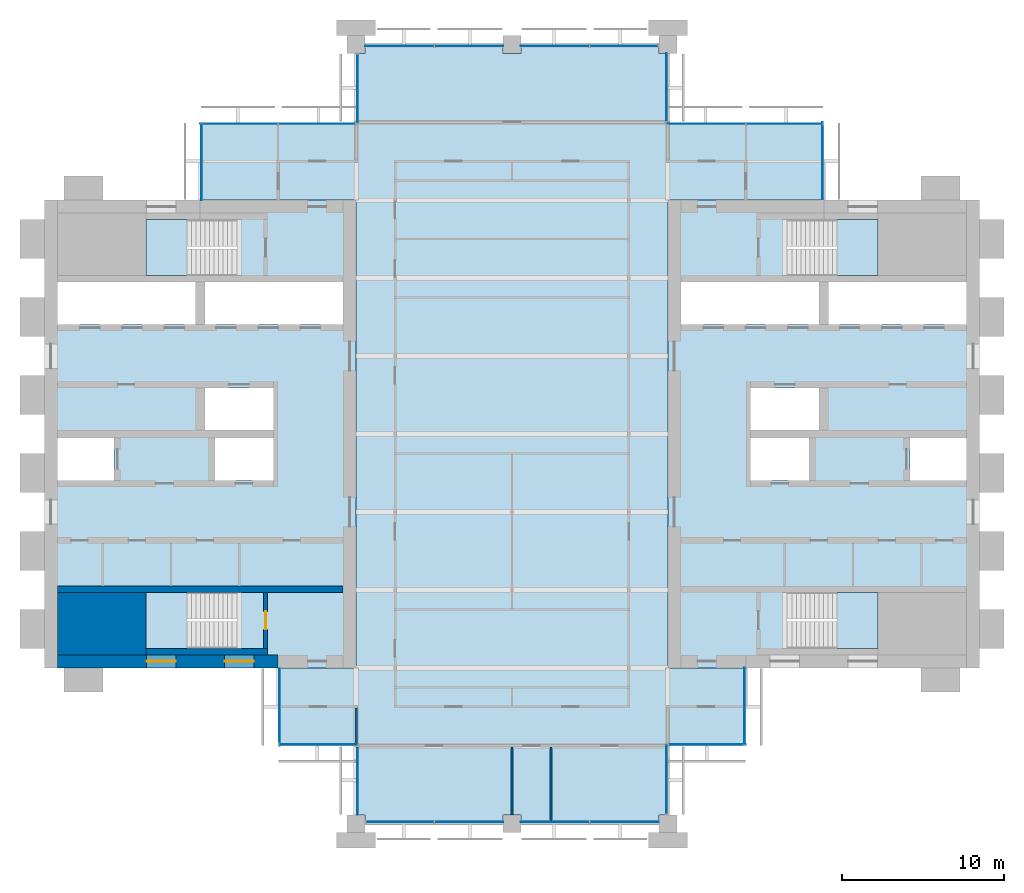
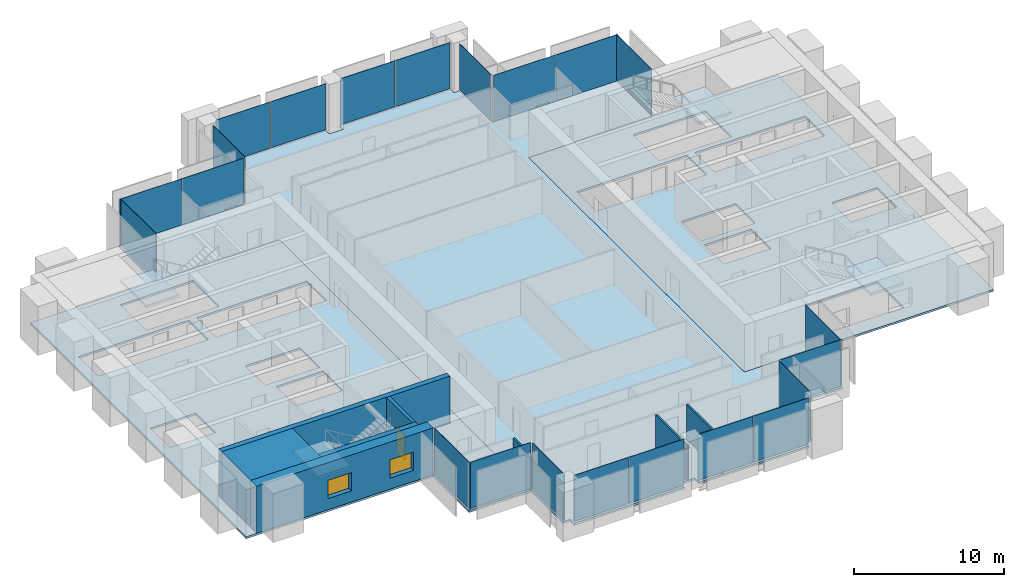
# One storey, part 7 of 13: 22 plates, 8 walls, 7 slabs, 2 windows, 1 door, 3 openings, 18 elements without a shape of their own.
"""IFC4 building model written with IfcOpenShell, lengths in metres."""

from ifc_helpers import new_model, si_unit, direction, frame, frame_2d, origin, origin_2d, place, context, subcontext, project, spatial, polyline, rectangle, outline, extrude, material, layer, layer_set, type_object, element, fill, aggregate, save


model = new_model("IFC4")

# Units and contexts
model_context = context("Model", 3, precision=1e-05, world=origin(), true_north=direction((0.0, 1.0)))
body_context = subcontext(model_context, "Body", "Model", "MODEL_VIEW")
ifc_project = project(units=[si_unit("LENGTHUNIT", "METRE"), si_unit("AREAUNIT", "SQUARE_METRE"), si_unit("VOLUMEUNIT", "CUBIC_METRE"), si_unit("PLANEANGLEUNIT", "RADIAN"), si_unit("MASSUNIT", "GRAM", prefix="KILO")], contexts=[model_context])

# Site, building, storey
site_placement = place(None, origin())
site = spatial("IfcSite", under=ifc_project, at=site_placement, CompositionType="ELEMENT")
building_placement = place(site_placement, origin())
building = spatial("IfcBuilding", under=site, at=building_placement, Name="Baori Bourse Tower", CompositionType="ELEMENT")
storey_placement = place(building_placement, frame((0.0, 0.0, 241.199951171875)))
storey = spatial("IfcBuildingStorey", under=building, at=storey_placement, Name="L53", CompositionType="ELEMENT", Elevation=241.199951171875)

# Curtain wall, plate
ifc_material_1 = material(Name="Pale anodised aluminium", Category="aluminium")
curtain_wall_type_1 = type_object("IfcCurtainWallType", Name="CW2 Curtain wall", PredefinedType="NOTDEFINED", material=ifc_material_1)
curtain_wall_1_placement = place(storey_placement, origin())
curtain_wall_1 = element("IfcCurtainWall", 1, at=curtain_wall_1_placement, inside=storey, type_object=curtain_wall_type_1, Name="Curtain wall CW2 L53 1", PredefinedType="NOTDEFINED")
ifc_material_2 = material(Name="Clear glass", Category="glass")
ifc_layer_1 = layer(ifc_material_2, 0.030029296875)
ifc_layer_set_1 = layer_set([ifc_layer_1], Name="CW2 Curtain wall panel")
plate_type_1 = type_object("IfcPlateType", Name="CW2 Curtain wall panel", PredefinedType="CURTAIN_PANEL", material=ifc_layer_set_1)
plate_1_placement = place(storey_placement, frame((47.909912109375, 40.827392578125, 0.070068359375), z_axis=(0.0, 0.0, 1.0), x_axis=(0.0, 1.0, 0.0)))
plate_1 = element("IfcPlate", 2, at=plate_1_placement, type_object=plate_type_1, Name="Curtain wall CW2 panel", PredefinedType="CURTAIN_PANEL", context=body_context, shape_type="SweptSolid", body=[
    extrude(rectangle(XDim=4.7451171875, YDim=0.030029296875, at=origin_2d()), origin(), (0.0, 0.0, 1.0), 3.77001953125),
])
aggregate(curtain_wall_1, [plate_1])

# Curtain wall, plates
curtain_wall_2_placement = place(storey_placement, origin())
curtain_wall_2 = element("IfcCurtainWall", 3, at=curtain_wall_2_placement, inside=storey, type_object=curtain_wall_type_1, Name="Curtain wall CW2 L53 2", PredefinedType="NOTDEFINED")
plate_2_placement = place(storey_placement, frame((45.586181640625, 43.110107421875, 0.070068359375), z_axis=(0.0, 0.0, 1.0), x_axis=(-1.0, 0.0, 0.0)))
plate_2 = element("IfcPlate", 4, at=plate_2_placement, type_object=plate_type_1, Name="Curtain wall CW2 panel", PredefinedType="CURTAIN_PANEL", context=body_context, shape_type="SweptSolid", body=[
    extrude(rectangle(XDim=4.717529296875, YDim=0.030029296875, at=origin_2d()), origin(), (0.0, 0.0, 1.0), 3.77001953125),
])
plate_3_placement = place(storey_placement, frame((40.7861328125, 43.110107421875, 0.070068359375), z_axis=(0.0, 0.0, 1.0), x_axis=(-1.0, 0.0, 0.0)))
plate_3 = element("IfcPlate", 5, at=plate_3_placement, type_object=plate_type_1, Name="Curtain wall CW2 panel", PredefinedType="CURTAIN_PANEL", context=body_context, shape_type="SweptSolid", body=[
    extrude(rectangle(XDim=4.7724609375, YDim=0.030029296875, at=origin_2d()), origin(), (0.0, 0.0, 1.0), 3.77001953125),
])
aggregate(curtain_wall_2, [plate_2, plate_3])

# Curtain wall, plate
curtain_wall_3_placement = place(storey_placement, origin())
curtain_wall_3 = element("IfcCurtainWall", 6, at=curtain_wall_3_placement, inside=storey, type_object=curtain_wall_type_1, Name="Curtain wall CW2 L53 3", PredefinedType="NOTDEFINED")
plate_4_placement = place(storey_placement, frame((38.31005859375, 45.3525390625, 0.070068359375), z_axis=(0.0, 0.0, 1.0), x_axis=(0.0, 1.0, 0.0)))
plate_4 = element("IfcPlate", 7, at=plate_4_placement, type_object=plate_type_1, Name="Curtain wall CW2 panel", PredefinedType="CURTAIN_PANEL", context=body_context, shape_type="SweptSolid", body=[
    extrude(rectangle(XDim=4.195068359375, YDim=0.030029296875, at=origin_2d()), origin(), (0.0, 0.0, 1.0), 3.77001953125),
])
aggregate(curtain_wall_3, [plate_4])

curtain_wall_4_placement = place(storey_placement, origin())
curtain_wall_4 = element("IfcCurtainWall", 8, at=curtain_wall_4_placement, inside=storey, type_object=curtain_wall_type_1, Name="Curtain wall CW2 L53 5", PredefinedType="NOTDEFINED")
plate_5_placement = place(storey_placement, frame((19.2900390625, 45.297607421875, 0.070068359375), z_axis=(0.0, 0.0, 1.0), x_axis=(0.0, -1.0, 0.0)))
plate_5 = element("IfcPlate", 9, at=plate_5_placement, type_object=plate_type_1, Name="Curtain wall CW2 panel", PredefinedType="CURTAIN_PANEL", context=body_context, shape_type="SweptSolid", body=[
    extrude(rectangle(XDim=4.195068359375, YDim=0.030029296875, at=origin_2d()), origin(), (0.0, 0.0, 1.0), 3.77001953125),
])
aggregate(curtain_wall_4, [plate_5])

# Curtain wall, plates
curtain_wall_5_placement = place(storey_placement, origin())
curtain_wall_5 = element("IfcCurtainWall", 10, at=curtain_wall_5_placement, inside=storey, type_object=curtain_wall_type_1, Name="Curtain wall CW2 L53 6", PredefinedType="NOTDEFINED")
plate_6_placement = place(storey_placement, frame((16.7861328125, 43.110107421875, 0.070068359375), z_axis=(0.0, 0.0, 1.0), x_axis=(-1.0, 0.0, 0.0)))
plate_6 = element("IfcPlate", 11, at=plate_6_placement, type_object=plate_type_1, Name="Curtain wall CW2 panel", PredefinedType="CURTAIN_PANEL", context=body_context, shape_type="SweptSolid", body=[
    extrude(rectangle(XDim=4.717529296875, YDim=0.030029296875, at=origin_2d()), origin(), (0.0, 0.0, 1.0), 3.77001953125),
])
plate_7_placement = place(storey_placement, frame((11.986328125, 43.110107421875, 0.070068359375), z_axis=(0.0, 0.0, 1.0), x_axis=(-1.0, 0.0, 0.0)))
plate_7 = element("IfcPlate", 12, at=plate_7_placement, type_object=plate_type_1, Name="Curtain wall CW2 panel", PredefinedType="CURTAIN_PANEL", context=body_context, shape_type="SweptSolid", body=[
    extrude(rectangle(XDim=4.7724609375, YDim=0.030029296875, at=origin_2d()), origin(), (0.0, 0.0, 1.0), 3.77001953125),
])
aggregate(curtain_wall_5, [plate_6, plate_7])

# Curtain wall, plate
curtain_wall_6_placement = place(storey_placement, origin())
curtain_wall_6 = element("IfcCurtainWall", 13, at=curtain_wall_6_placement, inside=storey, type_object=curtain_wall_type_1, Name="Curtain wall CW2 L53 7", PredefinedType="NOTDEFINED")
plate_8_placement = place(storey_placement, frame((9.68994140625, 40.7724609375, 0.070068359375), z_axis=(0.0, 0.0, 1.0), x_axis=(0.0, -1.0, 0.0)))
plate_8 = element("IfcPlate", 14, at=plate_8_placement, type_object=plate_type_1, Name="Curtain wall CW2 panel", PredefinedType="CURTAIN_PANEL", context=body_context, shape_type="SweptSolid", body=[
    extrude(rectangle(XDim=4.7451171875, YDim=0.030029296875, at=origin_2d()), origin(), (0.0, 0.0, 1.0), 3.77001953125),
])
aggregate(curtain_wall_6, [plate_8])

curtain_wall_7_placement = place(storey_placement, origin())
curtain_wall_7 = element("IfcCurtainWall", 15, at=curtain_wall_7_placement, inside=storey, type_object=curtain_wall_type_1, Name="Curtain wall CW2 L53 8", PredefinedType="NOTDEFINED")
plate_9_placement = place(storey_placement, frame((14.489990234375, 7.172607421875, 0.070068359375), z_axis=(0.0, 0.0, 1.0), x_axis=(0.0, -1.0, 0.0)))
plate_9 = element("IfcPlate", 16, at=plate_9_placement, type_object=plate_type_1, Name="Curtain wall CW2 panel", PredefinedType="CURTAIN_PANEL", context=body_context, shape_type="SweptSolid", body=[
    extrude(rectangle(XDim=4.7451171875, YDim=0.030029296875, at=origin_2d()), origin(), (0.0, 0.0, 1.0), 3.77001953125),
])
aggregate(curtain_wall_7, [plate_9])

curtain_wall_8_placement = place(storey_placement, origin())
curtain_wall_8 = element("IfcCurtainWall", 17, at=curtain_wall_8_placement, inside=storey, type_object=curtain_wall_type_1, Name="Curtain wall CW2 L53 9", PredefinedType="NOTDEFINED")
plate_10_placement = place(storey_placement, frame((16.827392578125, 4.889892578125, 0.070068359375), z_axis=(0.0, 0.0, 1.0), x_axis=(1.0, 0.0, 0.0)))
plate_10 = element("IfcPlate", 18, at=plate_10_placement, type_object=plate_type_1, Name="Curtain wall CW2 panel", PredefinedType="CURTAIN_PANEL", context=body_context, shape_type="SweptSolid", body=[
    extrude(rectangle(XDim=4.7451171875, YDim=0.030029296875, at=origin_2d()), origin(), (0.0, 0.0, 1.0), 3.77001953125),
])
aggregate(curtain_wall_8, [plate_10])

curtain_wall_9_placement = place(storey_placement, origin())
curtain_wall_9 = element("IfcCurtainWall", 19, at=curtain_wall_9_placement, inside=storey, type_object=curtain_wall_type_1, Name="Curtain wall CW2 L53 10", PredefinedType="NOTDEFINED")
plate_11_placement = place(storey_placement, frame((19.2900390625, 2.6474609375, 0.070068359375), z_axis=(0.0, 0.0, 1.0), x_axis=(0.0, -1.0, 0.0)))
plate_11 = element("IfcPlate", 20, at=plate_11_placement, type_object=plate_type_1, Name="Curtain wall CW2 panel", PredefinedType="CURTAIN_PANEL", context=body_context, shape_type="SweptSolid", body=[
    extrude(rectangle(XDim=4.195068359375, YDim=0.030029296875, at=origin_2d()), origin(), (0.0, 0.0, 1.0), 3.77001953125),
])
aggregate(curtain_wall_9, [plate_11])

curtain_wall_10_placement = place(storey_placement, origin())
curtain_wall_10 = element("IfcCurtainWall", 21, at=curtain_wall_10_placement, inside=storey, type_object=curtain_wall_type_1, Name="Curtain wall CW2 L53 12", PredefinedType="NOTDEFINED")
plate_12_placement = place(storey_placement, frame((38.31005859375, 2.702392578125, 0.070068359375), z_axis=(0.0, 0.0, 1.0), x_axis=(0.0, 1.0, 0.0)))
plate_12 = element("IfcPlate", 22, at=plate_12_placement, type_object=plate_type_1, Name="Curtain wall CW2 panel", PredefinedType="CURTAIN_PANEL", context=body_context, shape_type="SweptSolid", body=[
    extrude(rectangle(XDim=4.195068359375, YDim=0.030029296875, at=origin_2d()), origin(), (0.0, 0.0, 1.0), 3.77001953125),
])
aggregate(curtain_wall_10, [plate_12])

curtain_wall_11_placement = place(storey_placement, origin())
curtain_wall_11 = element("IfcCurtainWall", 23, at=curtain_wall_11_placement, inside=storey, type_object=curtain_wall_type_1, Name="Curtain wall CW2 L53 13", PredefinedType="NOTDEFINED")
plate_13_placement = place(storey_placement, frame((40.827392578125, 4.889892578125, 0.070068359375), z_axis=(0.0, 0.0, 1.0), x_axis=(1.0, 0.0, 0.0)))
plate_13 = element("IfcPlate", 24, at=plate_13_placement, type_object=plate_type_1, Name="Curtain wall CW2 panel", PredefinedType="CURTAIN_PANEL", context=body_context, shape_type="SweptSolid", body=[
    extrude(rectangle(XDim=4.7451171875, YDim=0.030029296875, at=origin_2d()), origin(), (0.0, 0.0, 1.0), 3.77001953125),
])
aggregate(curtain_wall_11, [plate_13])

curtain_wall_12_placement = place(storey_placement, origin())
curtain_wall_12 = element("IfcCurtainWall", 25, at=curtain_wall_12_placement, inside=storey, type_object=curtain_wall_type_1, Name="Curtain wall CW2 L53 14", PredefinedType="NOTDEFINED")
plate_14_placement = place(storey_placement, frame((43.110107421875, 7.2275390625, 0.070068359375), z_axis=(0.0, 0.0, 1.0), x_axis=(0.0, 1.0, 0.0)))
plate_14 = element("IfcPlate", 26, at=plate_14_placement, type_object=plate_type_1, Name="Curtain wall CW2 panel", PredefinedType="CURTAIN_PANEL", context=body_context, shape_type="SweptSolid", body=[
    extrude(rectangle(XDim=4.7451171875, YDim=0.030029296875, at=origin_2d()), origin(), (0.0, 0.0, 1.0), 3.77001953125),
])
aggregate(curtain_wall_12, [plate_14])

# Curtain wall, plates
ifc_material_3 = material(Name="Pale anodised aluminium", Category="aluminium")
curtain_wall_type_2 = type_object("IfcCurtainWallType", Name="CW5 Curtain wall", PredefinedType="NOTDEFINED", material=ifc_material_3)
curtain_wall_13_placement = place(storey_placement, origin())
curtain_wall_13 = element("IfcCurtainWall", 27, at=curtain_wall_13_placement, inside=storey, type_object=curtain_wall_type_2, Name="Curtain wall CW5 L53 4", PredefinedType="NOTDEFINED")
ifc_material_4 = material(Name="Clear glass", Category="glass")
ifc_layer_2 = layer(ifc_material_4, 0.035888671875)
ifc_layer_set_2 = layer_set([ifc_layer_2], Name="CW5 Curtain wall panel")
plate_type_2 = type_object("IfcPlateType", Name="CW5 Curtain wall panel", PredefinedType="CURTAIN_PANEL", material=ifc_layer_set_2)
plate_15_placement = place(storey_placement, frame((35.708740234375, 47.889892578125, 0.085205078125), z_axis=(0.0, 0.0, 1.0), x_axis=(-1.0, 0.0, 0.0)))
plate_15 = element("IfcPlate", 28, at=plate_15_placement, type_object=plate_type_2, Name="Curtain wall CW5 panel", PredefinedType="CURTAIN_PANEL", context=body_context, shape_type="SweptSolid", body=[
    extrude(rectangle(XDim=4.152587890625, YDim=0.035888671875, at=origin_2d()), origin(), (0.0, 0.0, 1.0), 3.7548828125),
])
plate_16_placement = place(storey_placement, frame((31.458740234375, 47.889892578125, 0.085205078125), z_axis=(0.0, 0.0, 1.0), x_axis=(-1.0, 0.0, 0.0)))
plate_16 = element("IfcPlate", 29, at=plate_16_placement, type_object=plate_type_2, Name="Curtain wall CW5 panel", PredefinedType="CURTAIN_PANEL", context=body_context, shape_type="SweptSolid", body=[
    extrude(rectangle(XDim=4.217529296875, YDim=0.035888671875, at=origin_2d()), origin(), (0.0, 0.0, 1.0), 3.7548828125),
])
plate_17_placement = place(storey_placement, frame((26.141357421875, 47.889892578125, 0.085205078125), z_axis=(0.0, 0.0, 1.0), x_axis=(-1.0, 0.0, 0.0)))
plate_17 = element("IfcPlate", 30, at=plate_17_placement, type_object=plate_type_2, Name="Curtain wall CW5 panel", PredefinedType="CURTAIN_PANEL", context=body_context, shape_type="SweptSolid", body=[
    extrude(rectangle(XDim=4.217529296875, YDim=0.035888671875, at=origin_2d()), origin(), (0.0, 0.0, 1.0), 3.7548828125),
])
plate_18_placement = place(storey_placement, frame((21.858642578125, 47.889892578125, 0.085205078125), z_axis=(0.0, 0.0, 1.0), x_axis=(-1.0, 0.0, 0.0)))
plate_18 = element("IfcPlate", 31, at=plate_18_placement, type_object=plate_type_2, Name="Curtain wall CW5 panel", PredefinedType="CURTAIN_PANEL", context=body_context, shape_type="SweptSolid", body=[
    extrude(rectangle(XDim=4.217529296875, YDim=0.035888671875, at=origin_2d()), origin(), (0.0, 0.0, 1.0), 3.7548828125),
])
aggregate(curtain_wall_13, [plate_15, plate_16, plate_17, plate_18])

curtain_wall_14_placement = place(storey_placement, origin())
curtain_wall_14 = element("IfcCurtainWall", 32, at=curtain_wall_14_placement, inside=storey, type_object=curtain_wall_type_2, Name="Curtain wall CW5 L53 11", PredefinedType="NOTDEFINED")
plate_19_placement = place(storey_placement, frame((21.891357421875, 0.110107421875, 0.085205078125), z_axis=(0.0, 0.0, 1.0), x_axis=(1.0, 0.0, 0.0)))
plate_19 = element("IfcPlate", 33, at=plate_19_placement, type_object=plate_type_2, Name="Curtain wall CW5 panel", PredefinedType="CURTAIN_PANEL", context=body_context, shape_type="SweptSolid", body=[
    extrude(rectangle(XDim=4.152587890625, YDim=0.035888671875, at=origin_2d()), origin(), (0.0, 0.0, 1.0), 3.7548828125),
])
plate_20_placement = place(storey_placement, frame((26.141357421875, 0.110107421875, 0.085205078125), z_axis=(0.0, 0.0, 1.0), x_axis=(1.0, 0.0, 0.0)))
plate_20 = element("IfcPlate", 34, at=plate_20_placement, type_object=plate_type_2, Name="Curtain wall CW5 panel", PredefinedType="CURTAIN_PANEL", context=body_context, shape_type="SweptSolid", body=[
    extrude(rectangle(XDim=4.217529296875, YDim=0.035888671875, at=origin_2d()), origin(), (0.0, 0.0, 1.0), 3.7548828125),
])
plate_21_placement = place(storey_placement, frame((31.458740234375, 0.110107421875, 0.085205078125), z_axis=(0.0, 0.0, 1.0), x_axis=(1.0, 0.0, 0.0)))
plate_21 = element("IfcPlate", 35, at=plate_21_placement, type_object=plate_type_2, Name="Curtain wall CW5 panel", PredefinedType="CURTAIN_PANEL", context=body_context, shape_type="SweptSolid", body=[
    extrude(rectangle(XDim=4.217529296875, YDim=0.035888671875, at=origin_2d()), origin(), (0.0, 0.0, 1.0), 3.7548828125),
])
plate_22_placement = place(storey_placement, frame((35.7412109375, 0.110107421875, 0.085205078125), z_axis=(0.0, 0.0, 1.0), x_axis=(1.0, 0.0, 0.0)))
plate_22 = element("IfcPlate", 36, at=plate_22_placement, type_object=plate_type_2, Name="Curtain wall CW5 panel", PredefinedType="CURTAIN_PANEL", context=body_context, shape_type="SweptSolid", body=[
    extrude(rectangle(XDim=4.217529296875, YDim=0.035888671875, at=origin_2d()), origin(), (0.0, 0.0, 1.0), 3.7548828125),
])
aggregate(curtain_wall_14, [plate_19, plate_20, plate_21, plate_22])

# Slabs
ifc_material_5 = material(Name="Concrete f'c 50 MPa", Category="concrete")
ifc_layer_3 = layer(ifc_material_5, 0.159912109375)
ifc_layer_set_3 = layer_set([ifc_layer_3], Name="Core slab 160")
slab_type_1 = type_object("IfcSlabType", Name="Core slab 160", PredefinedType="FLOOR", material=ifc_layer_set_3)
slab_1_placement = place(storey_placement, frame((0.0, 0.0, -0.159912109375)))
element("IfcSlab", 37, at=slab_1_placement, inside=storey, type_object=slab_type_1, Name="Core floor slab W01", PredefinedType="FLOOR", context=body_context, shape_type="SweptSolid", body=[
    extrude(outline(polyline([(19.199951171875, 38.39990234375), (0.0, 38.39990234375), (0.0, 9.60009765625), (19.199951171875, 9.60009765625), (19.199951171875, 38.39990234375)]), holes=[polyline([(9.89990234375, 33.35009765625), (18.39990234375, 33.35009765625), (18.39990234375, 30.75), (9.89990234375, 30.75), (9.89990234375, 33.35009765625)]), polyline([(10.5, 21.14990234375), (10.5, 23.75), (14.10009765625, 23.75), (14.10009765625, 21.14990234375), (10.5, 21.14990234375)]), polyline([(14.10009765625, 24.25), (9.89990234375, 24.25), (9.89990234375, 26.85009765625), (14.10009765625, 26.85009765625), (14.10009765625, 24.25)]), polyline([(6.25, 14.25), (11.84912109375, 14.25), (11.84912109375, 10.800048828125), (6.25, 10.800048828125), (6.25, 14.25)]), polyline([(11.84912109375, 37.199951171875), (11.84912109375, 33.75), (6.25, 33.75), (6.25, 37.199951171875), (11.84912109375, 37.199951171875)]), polyline([(0.800048828125, 30.75), (0.800048828125, 33.35009765625), (9.300048828125, 33.35009765625), (9.300048828125, 30.75), (0.800048828125, 30.75)]), polyline([(4.300048828125, 23.75), (4.300048828125, 21.14990234375), (0.800048828125, 21.14990234375), (0.800048828125, 23.75), (4.300048828125, 23.75)])]), origin(), (0.0, 0.0, 1.0), 0.159912109375),
])
slab_2_placement = place(storey_placement, frame((0.0, 0.0, -0.159912109375)))
element("IfcSlab", 38, at=slab_2_placement, inside=storey, type_object=slab_type_1, Name="Core floor slab E01", PredefinedType="FLOOR", context=body_context, shape_type="SweptSolid", body=[
    extrude(outline(polyline([(57.60009765625, 9.60009765625), (57.60009765625, 38.39990234375), (38.39990234375, 38.39990234375), (38.39990234375, 9.60009765625), (57.60009765625, 9.60009765625)]), holes=[polyline([(48.300048828125, 33.35009765625), (56.800048828125, 33.35009765625), (56.800048828125, 30.75), (48.300048828125, 30.75), (48.300048828125, 33.35009765625)]), polyline([(56.800048828125, 21.14990234375), (53.300048828125, 21.14990234375), (53.300048828125, 23.75), (56.800048828125, 23.75), (56.800048828125, 21.14990234375)]), polyline([(45.750732421875, 14.25), (51.35009765625, 14.25), (51.35009765625, 10.800048828125), (45.750732421875, 10.800048828125), (45.750732421875, 14.25)]), polyline([(51.35009765625, 37.199951171875), (51.35009765625, 33.75), (45.750732421875, 33.75), (45.750732421875, 37.199951171875), (51.35009765625, 37.199951171875)]), polyline([(43.5, 24.25), (43.5, 26.85009765625), (47.699951171875, 26.85009765625), (47.699951171875, 24.25), (43.5, 24.25)]), polyline([(47.699951171875, 33.35009765625), (47.699951171875, 30.75), (39.199951171875, 30.75), (39.199951171875, 33.35009765625), (47.699951171875, 33.35009765625)]), polyline([(43.5, 23.75), (47.10009765625, 23.75), (47.10009765625, 21.14990234375), (43.5, 21.14990234375), (43.5, 23.75)])]), origin(), (0.0, 0.0, 1.0), 0.159912109375),
])

# Stair, slab
ifc_material_6 = material(Name="Concrete f'c 50 MPa", Category="concrete")
stair_type = type_object("IfcStairType", Name="Core stair", PredefinedType="HALF_TURN_STAIR", material=ifc_material_6)
stair_1_placement = place(storey_placement, origin())
stair_1 = element("IfcStair", 39, at=stair_1_placement, inside=storey, type_object=stair_type, Name="L53 Stair WA", PredefinedType="HALF_TURN_STAIR")
ifc_material_7 = material(Name="Concrete f'c 50 MPa", Category="concrete")
slab_type_2 = type_object("IfcSlabType", Name="Core stair landing", PredefinedType="LANDING", material=ifc_material_7)
slab_3_placement = place(storey_placement, frame((0.0, 0.0, 1.800048828125)))
slab_3 = element("IfcSlab", 40, at=slab_3_placement, type_object=slab_type_2, Name="ST1 landing 1", PredefinedType="LANDING", context=body_context, shape_type="SweptSolid", body=[
    extrude(outline(polyline([(8.77001953125, 14.25), (6.25, 14.25), (6.25, 10.800048828125), (8.77001953125, 10.800048828125), (8.77001953125, 14.25)])), origin(), (0.0, 0.0, 1.0), 0.199951171875),
])
aggregate(stair_1, [slab_3])

stair_2_placement = place(storey_placement, origin())
stair_2 = element("IfcStair", 41, at=stair_2_placement, inside=storey, type_object=stair_type, Name="L53 Stair WB", PredefinedType="HALF_TURN_STAIR")
slab_4_placement = place(storey_placement, frame((0.0, 0.0, 1.800048828125)))
slab_4 = element("IfcSlab", 42, at=slab_4_placement, type_object=slab_type_2, Name="ST2 landing 1", PredefinedType="LANDING", context=body_context, shape_type="SweptSolid", body=[
    extrude(outline(polyline([(8.77001953125, 37.199951171875), (6.25, 37.199951171875), (6.25, 33.75), (8.77001953125, 33.75), (8.77001953125, 37.199951171875)])), origin(), (0.0, 0.0, 1.0), 0.199951171875),
])
aggregate(stair_2, [slab_4])

stair_3_placement = place(storey_placement, origin())
stair_3 = element("IfcStair", 43, at=stair_3_placement, inside=storey, type_object=stair_type, Name="L53 Stair EA", PredefinedType="HALF_TURN_STAIR")
slab_5_placement = place(storey_placement, frame((0.0, 0.0, 1.800048828125)))
slab_5 = element("IfcSlab", 44, at=slab_5_placement, type_object=slab_type_2, Name="ST3 landing 1", PredefinedType="LANDING", context=body_context, shape_type="SweptSolid", body=[
    extrude(outline(polyline([(48.830078125, 10.800048828125), (51.35009765625, 10.800048828125), (51.35009765625, 14.25), (48.830078125, 14.25), (48.830078125, 10.800048828125)])), origin(), (0.0, 0.0, 1.0), 0.199951171875),
])
aggregate(stair_3, [slab_5])

stair_4_placement = place(storey_placement, origin())
stair_4 = element("IfcStair", 45, at=stair_4_placement, inside=storey, type_object=stair_type, Name="L53 Stair EB", PredefinedType="HALF_TURN_STAIR")
slab_6_placement = place(storey_placement, frame((0.0, 0.0, 1.800048828125)))
slab_6 = element("IfcSlab", 46, at=slab_6_placement, type_object=slab_type_2, Name="ST4 landing 1", PredefinedType="LANDING", context=body_context, shape_type="SweptSolid", body=[
    extrude(outline(polyline([(48.830078125, 33.75), (51.35009765625, 33.75), (51.35009765625, 37.199951171875), (48.830078125, 37.199951171875), (48.830078125, 33.75)])), origin(), (0.0, 0.0, 1.0), 0.199951171875),
])
aggregate(stair_4, [slab_6])

# Slab
ifc_material_8 = material(Name="Concrete f'c 40 MPa", Category="concrete")
ifc_layer_4 = layer(ifc_material_8, 0.159912109375)
ifc_layer_set_4 = layer_set([ifc_layer_4], Name="Floor slab 160")
slab_type_3 = type_object("IfcSlabType", Name="Floor slab 160", PredefinedType="FLOOR", material=ifc_layer_set_4)
slab_7_placement = place(storey_placement, frame((0.0, 0.0, -0.159912109375)))
element("IfcSlab", 47, at=slab_7_placement, inside=storey, type_object=slab_type_3, Name="Floor slab L53", PredefinedType="FLOOR", context=body_context, shape_type="SweptSolid", body=[
    extrude(outline(polyline([(19.199951171875, 4.800048828125), (14.39990234375, 4.800048828125), (14.39990234375, 9.60009765625), (19.199951171875, 9.60009765625), (19.199951171875, 38.39990234375), (9.60009765625, 38.39990234375), (9.60009765625, 43.199951171875), (19.199951171875, 43.199951171875), (19.199951171875, 47.449951171875), (19.75, 47.449951171875), (19.75, 48.0), (28.25, 48.0), (28.25, 47.449951171875), (29.35009765625, 47.449951171875), (29.35009765625, 48.0), (37.85009765625, 48.0), (37.85009765625, 47.449951171875), (38.39990234375, 47.449951171875), (38.39990234375, 43.199951171875), (48.0, 43.199951171875), (48.0, 38.39990234375), (38.39990234375, 38.39990234375), (38.39990234375, 9.60009765625), (43.199951171875, 9.60009765625), (43.199951171875, 4.800048828125), (38.39990234375, 4.800048828125), (38.39990234375, 0.550048828125), (37.85009765625, 0.550048828125), (37.85009765625, 0.0), (29.35009765625, 0.0), (29.35009765625, 0.550048828125), (28.25, 0.550048828125), (28.25, 0.0), (19.75, 0.0), (19.75, 0.550048828125), (19.199951171875, 0.550048828125), (19.199951171875, 4.800048828125)])), origin(), (0.0, 0.0, 1.0), 0.159912109375),
])

# Wall
ifc_material_9 = material(Name="Concrete f'c 50 MPa", Category="concrete")
wall_type_1 = type_object("IfcWallType", Name="Core corner block f'c 50", PredefinedType="SHEAR", material=ifc_material_9)
wall_1_placement = place(storey_placement, frame((0.800048828125, 12.324951171875, 0.0), z_axis=(0.0, 0.0, 1.0), x_axis=(1.0, 0.0, 0.0)))
element("IfcWall", 48, at=wall_1_placement, inside=storey, type_object=wall_type_1, Name="Core wall W05", PredefinedType="SHEAR", context=body_context, shape_type="SweptSolid", body=[
    extrude(rectangle(XDim=5.449951171875, YDim=3.85009765625, at=frame_2d((2.72509765625, 0.0))), origin(), (0.0, 0.0, 1.0), 3.840087890625),
])

# Wall, openings, windows
ifc_material_10 = material(Name="Concrete f'c 50 MPa", Category="concrete")
ifc_layer_5 = layer(ifc_material_10, 0.800048828125)
ifc_layer_set_5 = layer_set([ifc_layer_5], Name="Core wall 800 f'c 50")
wall_type_2 = type_object("IfcWallType", Name="Core wall 800 f'c 50", PredefinedType="SHEAR", material=ifc_layer_set_5)
wall_2_placement = place(storey_placement, frame((14.39990234375, 10.0, 0.0), z_axis=(0.0, 0.0, 1.0), x_axis=(-1.0, 0.0, 0.0)))
wall_2 = element("IfcWall", 49, at=wall_2_placement, inside=storey, type_object=wall_type_2, Name="Core wall W02", PredefinedType="SHEAR", context=body_context, shape_type="SweptSolid", body=[
    extrude(rectangle(XDim=13.599853515625, YDim=0.800048828125, at=frame_2d((6.7998046875, 0.0))), origin(), (0.0, 0.0, 1.0), 3.840087890625),
])
opening_1_placement = place(wall_2_placement, frame((6.300048828125, 0.0, 0.89990234375)))
opening_1 = element("IfcOpeningElement", 50, at=opening_1_placement, cuts=wall_2, Name="Opening L53-KW103", PredefinedType="OPENING", context=body_context, shape_type="SweptSolid", body=[
    extrude(rectangle(XDim=1.800048828125, YDim=1.5, at=frame_2d((0.89990234375, 0.75))), frame((0.0, 0.409912109375, 0.0), z_axis=(0.0, -1.0, 0.0), x_axis=(1.0, 0.0, 0.0)), (0.0, 0.0, 1.0), 0.820068359375),
])
opening_2_placement = place(wall_2_placement, frame((1.5, 0.0, 0.89990234375)))
opening_2 = element("IfcOpeningElement", 51, at=opening_2_placement, cuts=wall_2, Name="Opening L53-KW104", PredefinedType="OPENING", context=body_context, shape_type="SweptSolid", body=[
    extrude(rectangle(XDim=1.800048828125, YDim=1.5, at=frame_2d((0.89990234375, 0.75))), frame((0.0, 0.409912109375, 0.0), z_axis=(0.0, -1.0, 0.0), x_axis=(1.0, 0.0, 0.0)), (0.0, 0.0, 1.0), 0.820068359375),
])
ifc_material_11 = material(Name="Pale anodised aluminium", Category="aluminium")
window_type = type_object("IfcWindowType", Name="Stair window 1800 x 1500", PartitioningType="SINGLE_PANEL", PredefinedType="WINDOW", material=ifc_material_11)
window_1_placement = place(opening_1_placement, origin())
window_1 = element("IfcWindow", 52, at=window_1_placement, inside=storey, type_object=window_type, Name="Stair window W L53 3", OverallHeight=1.5, OverallWidth=1.800048828125, PartitioningType="SINGLE_PANEL", PredefinedType="WINDOW", context=body_context, shape_type="SweptSolid", body=[
    extrude(rectangle(XDim=1.800048828125, YDim=1.5, at=frame_2d((0.89990234375, 0.75))), frame((0.0, 0.030029296875, 0.0), z_axis=(0.0, -1.0, 0.0), x_axis=(1.0, 0.0, 0.0)), (0.0, 0.0, 1.0), 0.06005859375),
])
fill(opening_1, window_1)
window_2_placement = place(opening_2_placement, origin())
window_2 = element("IfcWindow", 53, at=window_2_placement, inside=storey, type_object=window_type, Name="Stair window W L53 4", OverallHeight=1.5, OverallWidth=1.800048828125, PartitioningType="SINGLE_PANEL", PredefinedType="WINDOW", context=body_context, shape_type="SweptSolid", body=[
    extrude(rectangle(XDim=1.800048828125, YDim=1.5, at=frame_2d((0.89990234375, 0.75))), frame((0.0, 0.030029296875, 0.0), z_axis=(0.0, -1.0, 0.0), x_axis=(1.0, 0.0, 0.0)), (0.0, 0.0, 1.0), 0.06005859375),
])
fill(opening_2, window_2)

# Walls
ifc_material_12 = material(Name="Gypsum board partition")
ifc_layer_6 = layer(ifc_material_12, 0.14990234375)
ifc_layer_set_6 = layer_set([ifc_layer_6], Name="Corridor partition 150")
wall_type_3 = type_object("IfcWallType", Name="Corridor partition 150", PredefinedType="PARTITIONING", material=ifc_layer_set_6)
wall_3_placement = place(storey_placement, frame((19.199951171875, 4.875, 0.0), z_axis=(0.0, 0.0, 1.0), x_axis=(0.0, 1.0, 0.0)))
element("IfcWall", 54, at=wall_3_placement, inside=storey, type_object=wall_type_3, Name="Partition", PredefinedType="PARTITIONING", context=body_context, shape_type="SweptSolid", body=[
    extrude(rectangle(XDim=2.25, YDim=0.14990234375, at=frame_2d((1.125, 0.0))), origin(), (0.0, 0.0, 1.0), 2.849365234375),
])
ifc_material_13 = material(Name="Gypsum board partition")
ifc_layer_7 = layer(ifc_material_13, 0.125)
ifc_layer_set_7 = layer_set([ifc_layer_7], Name="Partition 125")
wall_type_4 = type_object("IfcWallType", Name="Partition 125", PredefinedType="PARTITIONING", material=ifc_layer_set_7)
wall_4_placement = place(storey_placement, frame((28.800048828125, 0.550048828125, 0.0), z_axis=(0.0, 0.0, 1.0), x_axis=(0.0, 1.0, 0.0)))
element("IfcWall", 55, at=wall_4_placement, inside=storey, type_object=wall_type_4, Name="Partition", PredefinedType="PARTITIONING", context=body_context, shape_type="SweptSolid", body=[
    extrude(rectangle(XDim=4.175048828125, YDim=0.125, at=frame_2d((2.08740234375, 0.0))), origin(), (0.0, 0.0, 1.0), 2.849365234375),
])
wall_5_placement = place(storey_placement, frame((31.199951171875, 0.10009765625, 0.0), z_axis=(0.0, 0.0, 1.0), x_axis=(0.0, 1.0, 0.0)))
element("IfcWall", 56, at=wall_5_placement, inside=storey, type_object=wall_type_4, Name="Partition", PredefinedType="PARTITIONING", context=body_context, shape_type="SweptSolid", body=[
    extrude(rectangle(XDim=4.625, YDim=0.125, at=frame_2d((2.3125, 0.0))), origin(), (0.0, 0.0, 1.0), 2.849365234375),
])

# Wall, opening, door
ifc_material_14 = material(Name="Concrete f'c 50 MPa", Category="concrete")
ifc_layer_8 = layer(ifc_material_14, 0.25)
ifc_layer_set_8 = layer_set([ifc_layer_8], Name="Shaft wall 250 f'c 50")
wall_type_5 = type_object("IfcWallType", Name="Shaft wall 250 f'c 50", PredefinedType="SHEAR", material=ifc_layer_set_8)
wall_6_placement = place(storey_placement, frame((13.625, 10.800048828125, 0.0), z_axis=(0.0, 0.0, 1.0), x_axis=(0.0, 1.0, 0.0)))
wall_6 = element("IfcWall", 57, at=wall_6_placement, inside=storey, type_object=wall_type_5, Name="Core wall W07", PredefinedType="SHEAR", context=body_context, shape_type="SweptSolid", body=[
    extrude(rectangle(XDim=3.449951171875, YDim=0.25, at=frame_2d((1.72509765625, 0.0))), origin(), (0.0, 0.0, 1.0), 3.840087890625),
])
opening_3_placement = place(wall_6_placement, frame((1.175048828125, 0.0, 0.0)))
opening_3 = element("IfcOpeningElement", 58, at=opening_3_placement, cuts=wall_6, Name="Opening L53-D101", PredefinedType="OPENING", context=body_context, shape_type="SweptSolid", body=[
    extrude(rectangle(XDim=1.10009765625, YDim=2.10009765625, at=frame_2d((0.550048828125, 1.050048828125))), frame((0.0, 0.135009765625, 0.0), z_axis=(0.0, -1.0, 0.0), x_axis=(1.0, 0.0, 0.0)), (0.0, 0.0, 1.0), 0.27001953125),
])
ifc_material_15 = material(Name="Painted steel door", Category="steel")
door_type = type_object("IfcDoorType", Name="Stair door 1100", OperationType="SINGLE_SWING_LEFT", PredefinedType="DOOR", material=ifc_material_15)
door_placement = place(opening_3_placement, origin())
door = element("IfcDoor", 59, at=door_placement, inside=storey, type_object=door_type, Name="Stair door A W L53", OperationType="SINGLE_SWING_LEFT", OverallHeight=2.10009765625, OverallWidth=1.10009765625, PredefinedType="DOOR", context=body_context, shape_type="SweptSolid", body=[
    extrude(rectangle(XDim=1.10009765625, YDim=2.10009765625, at=frame_2d((0.550048828125, 1.050048828125))), frame((0.0, 0.02490234375, 0.0), z_axis=(0.0, -1.0, 0.0), x_axis=(1.0, 0.0, 0.0)), (0.0, 0.0, 1.0), 0.050048828125),
])
fill(opening_3, door)

# Walls
ifc_material_16 = material(Name="Concrete f'c 50 MPa", Category="concrete")
ifc_layer_9 = layer(ifc_material_16, 0.39990234375)
ifc_layer_set_9 = layer_set([ifc_layer_9], Name="Shaft wall 400 f'c 50")
wall_type_6 = type_object("IfcWallType", Name="Shaft wall 400 f'c 50", PredefinedType="SHEAR", material=ifc_layer_set_9)
wall_7_placement = place(storey_placement, frame((6.25, 10.60009765625, 0.0), z_axis=(0.0, 0.0, 1.0), x_axis=(1.0, 0.0, 0.0)))
element("IfcWall", 60, at=wall_7_placement, inside=storey, type_object=wall_type_6, Name="Core wall W06", PredefinedType="SHEAR", context=body_context, shape_type="SweptSolid", body=[
    extrude(rectangle(XDim=7.5, YDim=0.39990234375, at=frame_2d((3.75, 0.0))), origin(), (0.0, 0.0, 1.0), 3.840087890625),
])
wall_8_placement = place(storey_placement, frame((0.800048828125, 14.449951171875, 0.0), z_axis=(0.0, 0.0, 1.0), x_axis=(1.0, 0.0, 0.0)))
element("IfcWall", 61, at=wall_8_placement, inside=storey, type_object=wall_type_6, Name="Core wall W08", PredefinedType="SHEAR", context=body_context, shape_type="SweptSolid", body=[
    extrude(rectangle(XDim=17.599853515625, YDim=0.39990234375, at=frame_2d((8.7998046875, 0.0))), origin(), (0.0, 0.0, 1.0), 3.840087890625),
])

save(model, "model.ifc")
